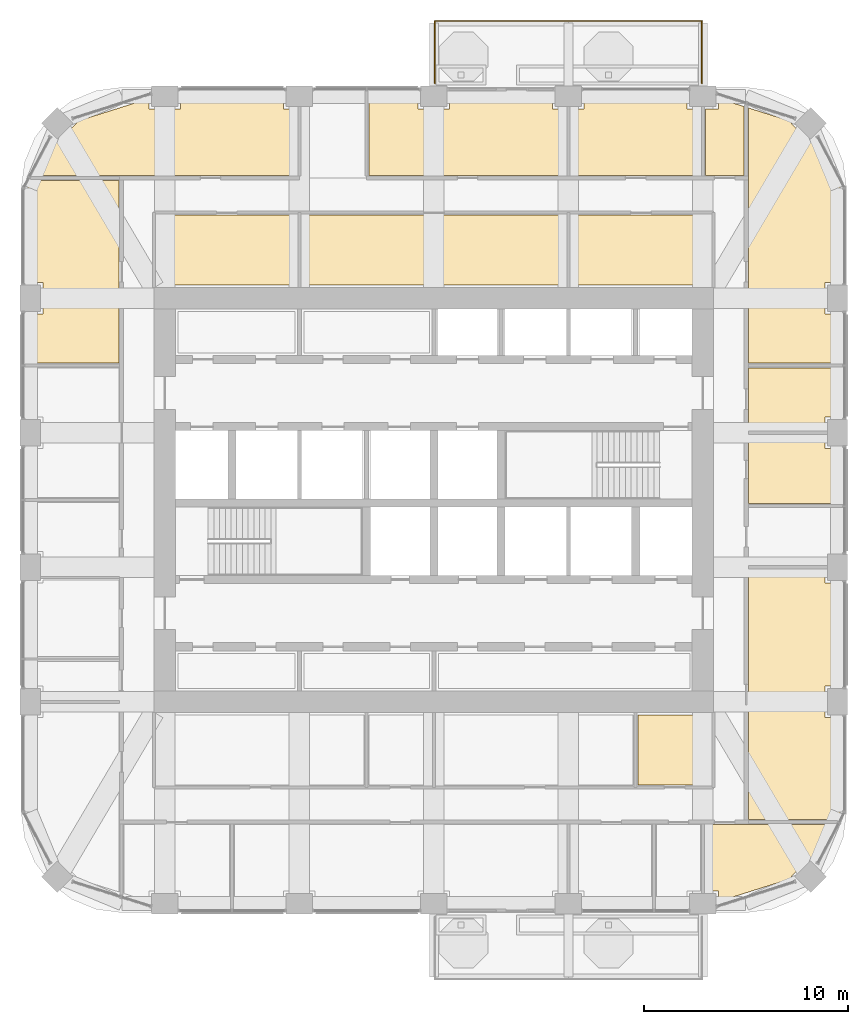
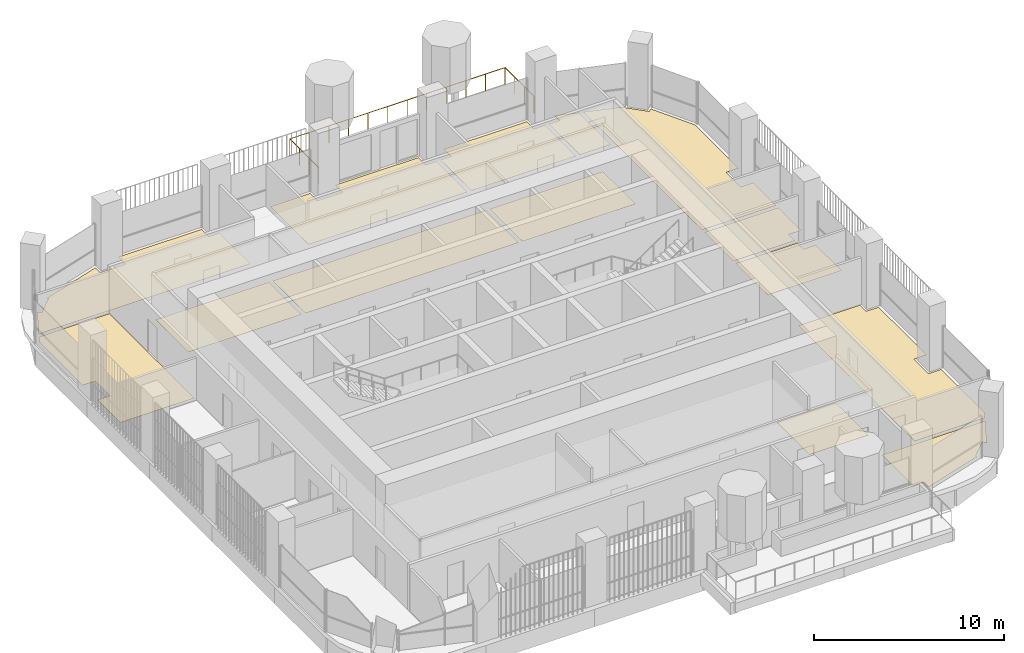
# One storey, part 19 of 20: 14 coverings, 1 railing.
"""IFC4 building model written with IfcOpenShell, lengths in metres."""

from ifc_helpers import new_model, si_unit, direction, frame, origin, place, context, subcontext, project, spatial, polyline, outline, extrude, material, layer, layer_set, type_object, element, save


model = new_model("IFC4")

# Units and contexts
model_context = context("Model", 3, precision=1e-05, world=origin(), true_north=direction((0.0, 1.0)))
body_context = subcontext(model_context, "Body", "Model", "MODEL_VIEW")
ifc_project = project(units=[si_unit("LENGTHUNIT", "METRE"), si_unit("AREAUNIT", "SQUARE_METRE"), si_unit("VOLUMEUNIT", "CUBIC_METRE"), si_unit("PLANEANGLEUNIT", "RADIAN"), si_unit("MASSUNIT", "GRAM", prefix="KILO")], contexts=[model_context])

# Site, building, storey
site_placement = place(None, origin())
site = spatial("IfcSite", under=ifc_project, at=site_placement, CompositionType="ELEMENT")
building_placement = place(site_placement, origin())
building = spatial("IfcBuilding", under=site, at=building_placement, Name="Cobogo Forest Laboratory Tower", CompositionType="ELEMENT")
storey_placement = place(building_placement, frame((0.0, 0.0, 233.39990234375)))
storey = spatial("IfcBuildingStorey", under=building, at=storey_placement, Name="L53", CompositionType="ELEMENT", Elevation=233.39990234375)

# Railing
ifc_material_1 = material(Name="Laminated glass balustrade", Category="glass")
railing_type = type_object("IfcRailingType", Name="BG1 glass balustrade 1100", PredefinedType="GUARDRAIL", material=ifc_material_1)
railing_placement = place(storey_placement, frame((26.449951171875, 43.550048828125, 0.0)))
element("IfcRailing", 1, at=railing_placement, inside=storey, type_object=railing_type, Name="Balcony balustrade BAL-N1 L53", PredefinedType="GUARDRAIL", context=body_context, shape_type="SweptSolid", body=[
    extrude(outline(polyline([(0.022216796875, 0.00927734375), (0.00927734375, 0.022216796875), (-0.00927734375, 0.022216796875), (-0.022216796875, 0.00927734375), (-0.022216796875, -0.00927734375), (-0.00927734375, -0.022216796875), (0.00927734375, -0.022216796875), (0.022216796875, -0.00927734375), (0.022216796875, 0.00927734375)])), frame((0.0, 0.0, 1.077880859375), z_axis=(0.0, 1.0, 0.0), x_axis=(-1.0, 0.0, 0.0)), (0.0, 0.0, 1.0), 3.050048828125),
    extrude(outline(polyline([(0.022216796875, 0.00927734375), (0.00927734375, 0.022216796875), (-0.00927734375, 0.022216796875), (-0.022216796875, 0.00927734375), (-0.022216796875, -0.00927734375), (-0.00927734375, -0.022216796875), (0.00927734375, -0.022216796875), (0.022216796875, -0.00927734375), (0.022216796875, 0.00927734375)])), frame((0.0, 3.050048828125, 1.077880859375), z_axis=(1.0, 0.0, 0.0), x_axis=(0.0, 1.0, 0.0)), (0.0, 0.0, 1.0), 13.10009765625),
    extrude(outline(polyline([(0.022216796875, 0.00927734375), (0.00927734375, 0.022216796875), (-0.00927734375, 0.022216796875), (-0.022216796875, 0.00927734375), (-0.022216796875, -0.00927734375), (-0.00927734375, -0.022216796875), (0.00927734375, -0.022216796875), (0.022216796875, -0.00927734375), (0.022216796875, 0.00927734375)])), frame((13.10009765625, 3.050048828125, 1.077880859375), z_axis=(0.0, -1.0, 0.0), x_axis=(1.0, 0.0, 0.0)), (0.0, 0.0, 1.0), 3.050048828125),
    extrude(outline(polyline([(0.019287109375, 0.008056640625), (0.008056640625, 0.019287109375), (-0.008056640625, 0.019287109375), (-0.019287109375, 0.008056640625), (-0.019287109375, -0.008056640625), (-0.008056640625, -0.019287109375), (0.008056640625, -0.019287109375), (0.019287109375, -0.008056640625), (0.019287109375, 0.008056640625)])), origin(), (0.0, 0.0, 1.0), 1.077880859375),
    extrude(outline(polyline([(0.019287109375, 0.008056640625), (0.008056640625, 0.019287109375), (-0.008056640625, 0.019287109375), (-0.019287109375, 0.008056640625), (-0.019287109375, -0.008056640625), (-0.008056640625, -0.019287109375), (0.008056640625, -0.019287109375), (0.019287109375, -0.008056640625), (0.019287109375, 0.008056640625)])), frame((0.0, 1.0166015625, 0.0)), (0.0, 0.0, 1.0), 1.077880859375),
    extrude(outline(polyline([(0.019287109375, 0.008056640625), (0.008056640625, 0.019287109375), (-0.008056640625, 0.019287109375), (-0.019287109375, 0.008056640625), (-0.019287109375, -0.008056640625), (-0.008056640625, -0.019287109375), (0.008056640625, -0.019287109375), (0.019287109375, -0.008056640625), (0.019287109375, 0.008056640625)])), frame((0.0, 2.033447265625, 0.0)), (0.0, 0.0, 1.0), 1.077880859375),
    extrude(outline(polyline([(0.019287109375, 0.008056640625), (0.008056640625, 0.019287109375), (-0.008056640625, 0.019287109375), (-0.019287109375, 0.008056640625), (-0.019287109375, -0.008056640625), (-0.008056640625, -0.019287109375), (0.008056640625, -0.019287109375), (0.019287109375, -0.008056640625), (0.019287109375, 0.008056640625)])), frame((0.0, 3.050048828125, 0.0)), (0.0, 0.0, 1.0), 1.077880859375),
    extrude(outline(polyline([(0.019287109375, 0.008056640625), (0.008056640625, 0.019287109375), (-0.008056640625, 0.019287109375), (-0.019287109375, 0.008056640625), (-0.019287109375, -0.008056640625), (-0.008056640625, -0.019287109375), (0.008056640625, -0.019287109375), (0.019287109375, -0.008056640625), (0.019287109375, 0.008056640625)])), frame((1.19091796875, 3.050048828125, 0.0)), (0.0, 0.0, 1.0), 1.077880859375),
    extrude(outline(polyline([(0.019287109375, 0.008056640625), (0.008056640625, 0.019287109375), (-0.008056640625, 0.019287109375), (-0.019287109375, 0.008056640625), (-0.019287109375, -0.008056640625), (-0.008056640625, -0.019287109375), (0.008056640625, -0.019287109375), (0.019287109375, -0.008056640625), (0.019287109375, 0.008056640625)])), frame((2.3818359375, 3.050048828125, 0.0)), (0.0, 0.0, 1.0), 1.077880859375),
    extrude(outline(polyline([(0.019287109375, 0.008056640625), (0.008056640625, 0.019287109375), (-0.008056640625, 0.019287109375), (-0.019287109375, 0.008056640625), (-0.019287109375, -0.008056640625), (-0.008056640625, -0.019287109375), (0.008056640625, -0.019287109375), (0.019287109375, -0.008056640625), (0.019287109375, 0.008056640625)])), frame((3.57275390625, 3.050048828125, 0.0)), (0.0, 0.0, 1.0), 1.077880859375),
    extrude(outline(polyline([(0.019287109375, 0.008056640625), (0.008056640625, 0.019287109375), (-0.008056640625, 0.019287109375), (-0.019287109375, 0.008056640625), (-0.019287109375, -0.008056640625), (-0.008056640625, -0.019287109375), (0.008056640625, -0.019287109375), (0.019287109375, -0.008056640625), (0.019287109375, 0.008056640625)])), frame((4.763671875, 3.050048828125, 0.0)), (0.0, 0.0, 1.0), 1.077880859375),
    extrude(outline(polyline([(0.019287109375, 0.008056640625), (0.008056640625, 0.019287109375), (-0.008056640625, 0.019287109375), (-0.019287109375, 0.008056640625), (-0.019287109375, -0.008056640625), (-0.008056640625, -0.019287109375), (0.008056640625, -0.019287109375), (0.019287109375, -0.008056640625), (0.019287109375, 0.008056640625)])), frame((5.95458984375, 3.050048828125, 0.0)), (0.0, 0.0, 1.0), 1.077880859375),
    extrude(outline(polyline([(0.019287109375, 0.008056640625), (0.008056640625, 0.019287109375), (-0.008056640625, 0.019287109375), (-0.019287109375, 0.008056640625), (-0.019287109375, -0.008056640625), (-0.008056640625, -0.019287109375), (0.008056640625, -0.019287109375), (0.019287109375, -0.008056640625), (0.019287109375, 0.008056640625)])), frame((7.1455078125, 3.050048828125, 0.0)), (0.0, 0.0, 1.0), 1.077880859375),
    extrude(outline(polyline([(0.019287109375, 0.008056640625), (0.008056640625, 0.019287109375), (-0.008056640625, 0.019287109375), (-0.019287109375, 0.008056640625), (-0.019287109375, -0.008056640625), (-0.008056640625, -0.019287109375), (0.008056640625, -0.019287109375), (0.019287109375, -0.008056640625), (0.019287109375, 0.008056640625)])), frame((8.33642578125, 3.050048828125, 0.0)), (0.0, 0.0, 1.0), 1.077880859375),
    extrude(outline(polyline([(0.019287109375, 0.008056640625), (0.008056640625, 0.019287109375), (-0.008056640625, 0.019287109375), (-0.019287109375, 0.008056640625), (-0.019287109375, -0.008056640625), (-0.008056640625, -0.019287109375), (0.008056640625, -0.019287109375), (0.019287109375, -0.008056640625), (0.019287109375, 0.008056640625)])), frame((9.52734375, 3.050048828125, 0.0)), (0.0, 0.0, 1.0), 1.077880859375),
    extrude(outline(polyline([(0.019287109375, 0.008056640625), (0.008056640625, 0.019287109375), (-0.008056640625, 0.019287109375), (-0.019287109375, 0.008056640625), (-0.019287109375, -0.008056640625), (-0.008056640625, -0.019287109375), (0.008056640625, -0.019287109375), (0.019287109375, -0.008056640625), (0.019287109375, 0.008056640625)])), frame((10.71826171875, 3.050048828125, 0.0)), (0.0, 0.0, 1.0), 1.077880859375),
    extrude(outline(polyline([(0.019287109375, 0.008056640625), (0.008056640625, 0.019287109375), (-0.008056640625, 0.019287109375), (-0.019287109375, 0.008056640625), (-0.019287109375, -0.008056640625), (-0.008056640625, -0.019287109375), (0.008056640625, -0.019287109375), (0.019287109375, -0.008056640625), (0.019287109375, 0.008056640625)])), frame((11.9091796875, 3.050048828125, 0.0)), (0.0, 0.0, 1.0), 1.077880859375),
    extrude(outline(polyline([(0.019287109375, 0.008056640625), (0.008056640625, 0.019287109375), (-0.008056640625, 0.019287109375), (-0.019287109375, 0.008056640625), (-0.019287109375, -0.008056640625), (-0.008056640625, -0.019287109375), (0.008056640625, -0.019287109375), (0.019287109375, -0.008056640625), (0.019287109375, 0.008056640625)])), frame((13.10009765625, 3.050048828125, 0.0)), (0.0, 0.0, 1.0), 1.077880859375),
    extrude(outline(polyline([(0.019287109375, 0.008056640625), (0.008056640625, 0.019287109375), (-0.008056640625, 0.019287109375), (-0.019287109375, 0.008056640625), (-0.019287109375, -0.008056640625), (-0.008056640625, -0.019287109375), (0.008056640625, -0.019287109375), (0.019287109375, -0.008056640625), (0.019287109375, 0.008056640625)])), frame((13.10009765625, 2.033447265625, 0.0)), (0.0, 0.0, 1.0), 1.077880859375),
    extrude(outline(polyline([(0.019287109375, 0.008056640625), (0.008056640625, 0.019287109375), (-0.008056640625, 0.019287109375), (-0.019287109375, 0.008056640625), (-0.019287109375, -0.008056640625), (-0.008056640625, -0.019287109375), (0.008056640625, -0.019287109375), (0.019287109375, -0.008056640625), (0.019287109375, 0.008056640625)])), frame((13.10009765625, 1.0166015625, 0.0)), (0.0, 0.0, 1.0), 1.077880859375),
    extrude(outline(polyline([(0.019287109375, 0.008056640625), (0.008056640625, 0.019287109375), (-0.008056640625, 0.019287109375), (-0.019287109375, 0.008056640625), (-0.019287109375, -0.008056640625), (-0.008056640625, -0.019287109375), (0.008056640625, -0.019287109375), (0.019287109375, -0.008056640625), (0.019287109375, 0.008056640625)])), frame((13.10009765625, 0.0, 0.0)), (0.0, 0.0, 1.0), 1.077880859375),
])

# Coverings
ifc_material_2 = material(Name="Carpet tile on raised access floor", Category="flooring")
ifc_layer_1 = layer(ifc_material_2, 0.008056640625)
ifc_layer_set_1 = layer_set([ifc_layer_1], Name="CT1 carpet tile floor 8")
covering_type_1 = type_object("IfcCoveringType", Name="CT1 carpet tile floor 8", PredefinedType="FLOORING", material=ifc_layer_set_1)
covering_1_placement = place(storey_placement, origin())
element("IfcCovering", 2, at=covering_1_placement, inside=storey, type_object=covering_type_1, Name="Carpet floor L53-01", PredefinedType="FLOORING", context=body_context, shape_type="SweptSolid", body=[
    extrude(outline(polyline([(19.679931640625, 33.64501953125), (12.794921875, 33.64501953125), (12.794921875, 37.080078125), (19.679931640625, 37.080078125), (19.679931640625, 33.64501953125)])), origin(), (0.0, 0.0, 1.0), 0.008056640625),
])
covering_2_placement = place(storey_placement, origin())
element("IfcCovering", 3, at=covering_2_placement, inside=storey, type_object=covering_type_1, Name="Carpet floor L53-02", PredefinedType="FLOORING", context=body_context, shape_type="SweptSolid", body=[
    extrude(outline(polyline([(32.8798828125, 33.64501953125), (19.919921875, 33.64501953125), (19.919921875, 37.080078125), (32.8798828125, 37.080078125), (32.8798828125, 33.64501953125)])), origin(), (0.0, 0.0, 1.0), 0.008056640625),
])
covering_3_placement = place(storey_placement, origin())
element("IfcCovering", 4, at=covering_3_placement, inside=storey, type_object=covering_type_1, Name="Carpet floor L53-03", PredefinedType="FLOORING", context=body_context, shape_type="SweptSolid", body=[
    extrude(outline(polyline([(40.0048828125, 33.64501953125), (33.1201171875, 33.64501953125), (33.1201171875, 37.080078125), (40.0048828125, 37.080078125), (40.0048828125, 33.64501953125)])), origin(), (0.0, 0.0, 1.0), 0.008056640625),
])
covering_4_placement = place(storey_placement, origin())
element("IfcCovering", 5, at=covering_4_placement, inside=storey, type_object=covering_type_1, Name="Carpet floor L53-07", PredefinedType="FLOORING", context=body_context, shape_type="SweptSolid", body=[
    extrude(outline(polyline([(40.0048828125, 9.1201171875), (36.419921875, 9.1201171875), (36.419921875, 12.554931640625), (40.0048828125, 12.554931640625), (40.0048828125, 9.1201171875)])), origin(), (0.0, 0.0, 1.0), 0.008056640625),
])
covering_5_placement = place(storey_placement, origin())
element("IfcCovering", 6, at=covering_5_placement, inside=storey, type_object=covering_type_1, Name="Carpet floor L53-12", PredefinedType="FLOORING", context=body_context, shape_type="SweptSolid", body=[
    extrude(outline(polyline([(44.00244140625, 4.550048828125), (40.3701171875, 3.40283203125), (40.3701171875, 3.919921875), (39.719970703125, 3.919921875), (39.719970703125, 7.179931640625), (45.999267578125, 7.179931640625), (45.059814453125, 5.387939453125), (44.882080078125, 5.5654296875), (43.9345703125, 4.617919921875), (44.00244140625, 4.550048828125)])), origin(), (0.0, 0.0, 1.0), 0.008056640625),
])
covering_6_placement = place(storey_placement, origin())
element("IfcCovering", 7, at=covering_6_placement, inside=storey, type_object=covering_type_1, Name="Carpet floor L53-13", PredefinedType="FLOORING", context=body_context, shape_type="SweptSolid", body=[
    extrude(outline(polyline([(41.844970703125, 19.679931640625), (45.580078125, 19.679931640625), (45.580078125, 19.030029296875), (46.35009765625, 19.030029296875), (46.35009765625, 13.969970703125), (45.580078125, 13.969970703125), (45.580078125, 12.429931640625), (46.35009765625, 12.429931640625), (46.35009765625, 7.84912109375), (46.125, 7.419921875), (41.844970703125, 7.419921875), (41.844970703125, 19.679931640625)])), origin(), (0.0, 0.0, 1.0), 0.008056640625),
])
covering_7_placement = place(storey_placement, origin())
element("IfcCovering", 8, at=covering_7_placement, inside=storey, type_object=covering_type_1, Name="Carpet floor L53-16", PredefinedType="FLOORING", context=body_context, shape_type="SweptSolid", body=[
    extrude(outline(polyline([(41.844970703125, 29.580078125), (46.35009765625, 29.580078125), (46.35009765625, 27.169921875), (45.580078125, 27.169921875), (45.580078125, 26.52001953125), (41.844970703125, 26.52001953125), (41.844970703125, 29.580078125)])), origin(), (0.0, 0.0, 1.0), 0.008056640625),
])
covering_8_placement = place(storey_placement, origin())
element("IfcCovering", 9, at=covering_8_placement, inside=storey, type_object=covering_type_1, Name="Carpet floor L53-17", PredefinedType="FLOORING", context=body_context, shape_type="SweptSolid", body=[
    extrude(outline(polyline([(41.844970703125, 42.331298828125), (44.00244140625, 41.64990234375), (43.9345703125, 41.58203125), (44.882080078125, 40.634521484375), (45.059814453125, 40.812255859375), (46.35009765625, 38.350830078125), (46.35009765625, 33.77001953125), (45.580078125, 33.77001953125), (45.580078125, 32.22998046875), (46.35009765625, 32.22998046875), (46.35009765625, 29.820068359375), (41.844970703125, 29.820068359375), (41.844970703125, 42.331298828125)])), origin(), (0.0, 0.0, 1.0), 0.008056640625),
])
covering_9_placement = place(storey_placement, origin())
element("IfcCovering", 10, at=covering_9_placement, inside=storey, type_object=covering_type_1, Name="Carpet floor L53-18", PredefinedType="FLOORING", context=body_context, shape_type="SweptSolid", body=[
    extrude(outline(polyline([(6.80078125, 39.02001953125), (7.740234375, 40.812255859375), (7.91796875, 40.634521484375), (8.865478515625, 41.58203125), (8.797607421875, 41.64990234375), (12.429931640625, 42.797119140625), (12.429931640625, 42.280029296875), (13.969970703125, 42.280029296875), (13.969970703125, 43.050048828125), (19.030029296875, 43.050048828125), (19.030029296875, 42.280029296875), (19.679931640625, 42.280029296875), (19.679931640625, 39.02001953125), (6.80078125, 39.02001953125)])), origin(), (0.0, 0.0, 1.0), 0.008056640625),
])
covering_10_placement = place(storey_placement, origin())
element("IfcCovering", 11, at=covering_10_placement, inside=storey, type_object=covering_type_1, Name="Carpet floor L53-19", PredefinedType="FLOORING", context=body_context, shape_type="SweptSolid", body=[
    extrude(outline(polyline([(23.219970703125, 39.02001953125), (23.219970703125, 43.050048828125), (25.6298828125, 43.050048828125), (25.6298828125, 42.280029296875), (27.169921875, 42.280029296875), (27.169921875, 43.050048828125), (32.22998046875, 43.050048828125), (32.22998046875, 42.280029296875), (32.8798828125, 42.280029296875), (32.8798828125, 39.02001953125), (23.219970703125, 39.02001953125)])), origin(), (0.0, 0.0, 1.0), 0.008056640625),
])
covering_11_placement = place(storey_placement, origin())
element("IfcCovering", 12, at=covering_11_placement, inside=storey, type_object=covering_type_1, Name="Carpet floor L53-20", PredefinedType="FLOORING", context=body_context, shape_type="SweptSolid", body=[
    extrude(outline(polyline([(33.1201171875, 39.02001953125), (33.1201171875, 42.280029296875), (33.77001953125, 42.280029296875), (33.77001953125, 43.050048828125), (38.830078125, 43.050048828125), (38.830078125, 42.280029296875), (39.47998046875, 42.280029296875), (39.47998046875, 39.02001953125), (33.1201171875, 39.02001953125)])), origin(), (0.0, 0.0, 1.0), 0.008056640625),
])
covering_12_placement = place(storey_placement, origin())
element("IfcCovering", 13, at=covering_12_placement, inside=storey, type_object=covering_type_1, Name="Carpet floor L53-21", PredefinedType="FLOORING", context=body_context, shape_type="SweptSolid", body=[
    extrude(outline(polyline([(39.719970703125, 39.02001953125), (39.719970703125, 42.280029296875), (40.3701171875, 42.280029296875), (40.3701171875, 42.797119140625), (41.60498046875, 42.406982421875), (41.60498046875, 39.02001953125), (39.719970703125, 39.02001953125)])), origin(), (0.0, 0.0, 1.0), 0.008056640625),
])
covering_13_placement = place(storey_placement, origin())
element("IfcCovering", 14, at=covering_13_placement, inside=storey, type_object=covering_type_1, Name="Carpet floor L53-27", PredefinedType="FLOORING", context=body_context, shape_type="SweptSolid", body=[
    extrude(outline(polyline([(10.955078125, 29.820068359375), (6.449951171875, 29.820068359375), (6.449951171875, 32.22998046875), (7.219970703125, 32.22998046875), (7.219970703125, 33.77001953125), (6.449951171875, 33.77001953125), (6.449951171875, 38.350830078125), (6.675048828125, 38.780029296875), (10.955078125, 38.780029296875), (10.955078125, 29.820068359375)])), origin(), (0.0, 0.0, 1.0), 0.008056640625),
])
ifc_material_3 = material(Name="Static-dissipative vinyl flooring", Category="flooring")
ifc_layer_2 = layer(ifc_material_3, 0.0029296875)
ifc_layer_set_2 = layer_set([ifc_layer_2], Name="SD1 static-dissipative vinyl floor 3")
covering_type_2 = type_object("IfcCoveringType", Name="SD1 static-dissipative vinyl floor 3", PredefinedType="FLOORING", material=ifc_layer_set_2)
covering_14_placement = place(storey_placement, origin())
element("IfcCovering", 15, at=covering_14_placement, inside=storey, type_object=covering_type_2, Name="Static-dissipative floor L53-15", PredefinedType="FLOORING", context=body_context, shape_type="SweptSolid", body=[
    extrude(outline(polyline([(41.844970703125, 26.280029296875), (45.580078125, 26.280029296875), (45.580078125, 25.6298828125), (46.35009765625, 25.6298828125), (46.35009765625, 22.919921875), (41.844970703125, 22.919921875), (41.844970703125, 26.280029296875)])), origin(), (0.0, 0.0, 1.0), 0.003173828125),
])

save(model, "model.ifc")
